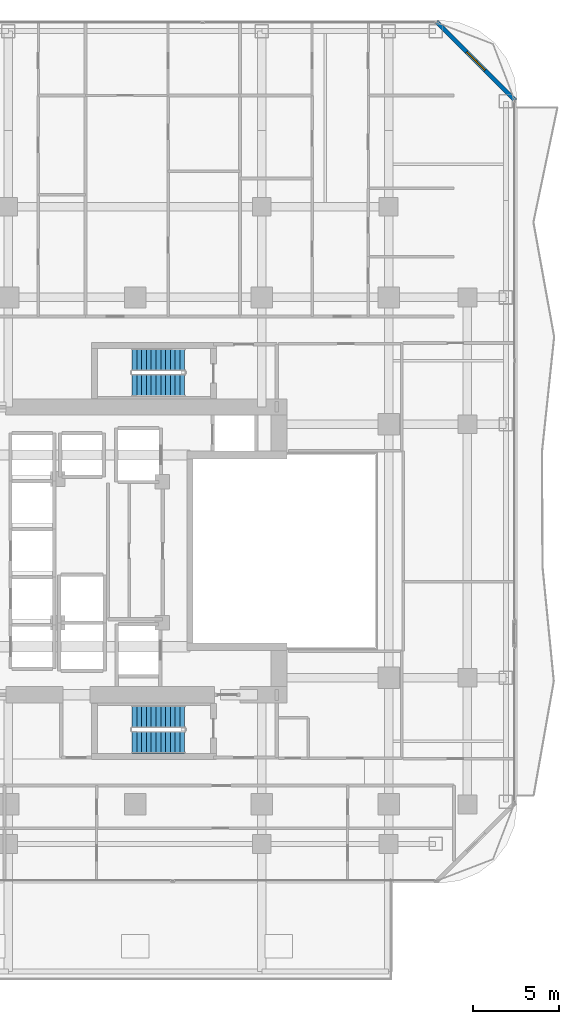
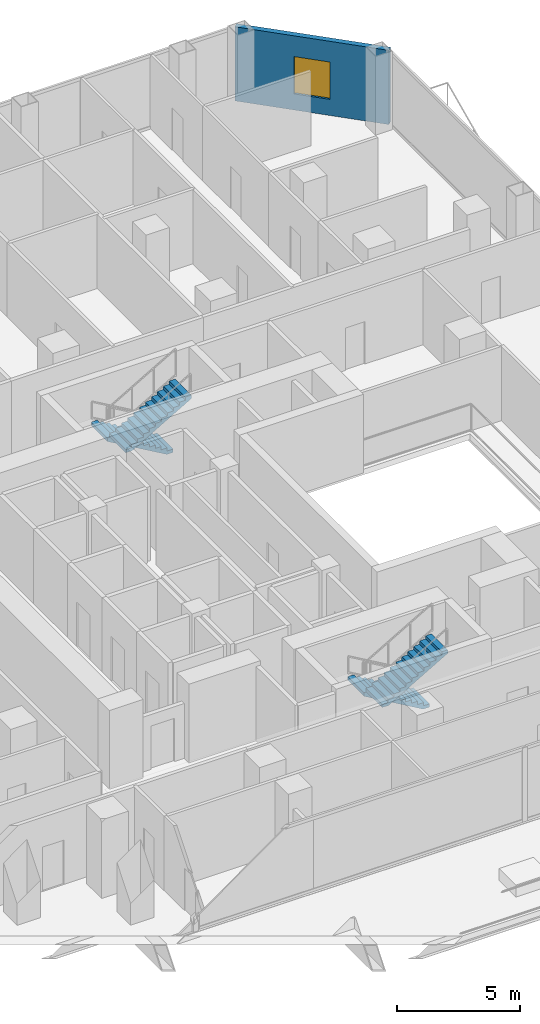
# One storey, part 24 of 29: 4 stair flights, 1 wall, 1 window, 1 opening, 2 elements without a shape of their own.
"""IFC4 building model written with IfcOpenShell, lengths in metres."""

from ifc_helpers import new_model, si_unit, direction, frame, frame_2d, origin, place, context, subcontext, project, spatial, polyline, rectangle, outline, extrude, material, layer, layer_set, type_object, element, fill, aggregate, save


model = new_model("IFC4")

# Units and contexts
model_context = context("Model", 3, precision=1e-05, world=origin(), true_north=direction((0.0, 1.0)))
body_context = subcontext(model_context, "Body", "Model", "MODEL_VIEW")
ifc_project = project(units=[si_unit("LENGTHUNIT", "METRE"), si_unit("AREAUNIT", "SQUARE_METRE"), si_unit("VOLUMEUNIT", "CUBIC_METRE"), si_unit("PLANEANGLEUNIT", "RADIAN"), si_unit("MASSUNIT", "GRAM", prefix="KILO")], contexts=[model_context])

# Site, building, storey
site_placement = place(None, origin())
site = spatial("IfcSite", under=ifc_project, at=site_placement, CompositionType="ELEMENT")
building_placement = place(site_placement, origin())
building = spatial("IfcBuilding", under=site, at=building_placement, Name="Khorvyn Point Tower", CompositionType="ELEMENT")
storey_placement = place(building_placement, frame((0.0, 0.0, 85.199951171875)))
storey = spatial("IfcBuildingStorey", under=building, at=storey_placement, Name="L21", CompositionType="ELEMENT", Elevation=85.199951171875)

# Wall, opening, window
ifc_material_1 = material(Name="Pale anodised aluminium rainscreen on steel stud", Category="steel")
ifc_layer = layer(ifc_material_1, 0.239990234375)
ifc_layer_set = layer_set([ifc_layer], Name="Anodised Aluminium Insulated Corner Spandrel Wall 240")
wall_type = type_object("IfcWallType", Name="Anodised Aluminium Insulated Corner Spandrel Wall 240", PredefinedType="SOLIDWALL", material=ifc_layer_set)
wall_placement = place(storey_placement, frame((17.607666015625, 30.892333984375, 0.0), z_axis=(0.0, 0.0, 1.0), x_axis=(0.707106781187, -0.707106781187, 0.0)))
wall = element("IfcWall", 1, at=wall_placement, inside=storey, type_object=wall_type, Name="L21 Rounded Corner Wall NE", PredefinedType="SOLIDWALL", context=body_context, shape_type="SweptSolid", body=[
    extrude(rectangle(XDim=6.48388671875, YDim=0.239990234375, at=frame_2d((3.241943359375, 0.0))), origin(), (0.0, 0.0, 1.0), 3.679931640625),
])
opening_placement = place(wall_placement, frame((2.491943359375, 0.0, 0.800048828125)))
opening = element("IfcOpeningElement", 2, at=opening_placement, cuts=wall, Name="Opening WN-1518", PredefinedType="OPENING", context=body_context, shape_type="SweptSolid", body=[
    extrude(rectangle(XDim=1.5, YDim=1.85009765625, at=frame_2d((0.75, 0.925048828125))), frame((0.0, 0.1298828125, 0.0), z_axis=(0.0, -1.0, 0.0), x_axis=(1.0, 0.0, 0.0)), (0.0, 0.0, 1.0), 0.260009765625),
])
ifc_material_2 = material(Name="Anodised aluminium 6063-T6 and laminated Low-E glass", Category="aluminium")
window_type = type_object("IfcWindowType", Name="Anodised Aluminium Rounded-Corner Panoramic Window 1500x1850", PartitioningType="SINGLE_PANEL", PredefinedType="WINDOW", material=ifc_material_2)
window_placement = place(opening_placement, origin())
window = element("IfcWindow", 3, at=window_placement, inside=storey, type_object=window_type, Name="L21 Corner Panoramic Window NE", OverallHeight=1.85009765625, OverallWidth=1.5, PartitioningType="SINGLE_PANEL", PredefinedType="WINDOW", context=body_context, shape_type="SweptSolid", body=[
    extrude(rectangle(XDim=1.5, YDim=1.85009765625, at=frame_2d((0.75, 0.925048828125))), frame((0.0, 0.030029296875, 0.0), z_axis=(0.0, -1.0, 0.0), x_axis=(1.0, 0.0, 0.0)), (0.0, 0.0, 1.0), 0.06005859375),
])
fill(opening, window)

# Stair, stair flights
ifc_material_3 = material(Name="Concrete C40/50", Category="concrete")
stair_type = type_object("IfcStairType", Name="Tower Concrete C40/50 Dogleg Exit Stair", PredefinedType="HALF_TURN_STAIR", material=ifc_material_3)
stair_1_placement = place(storey_placement, origin())
stair_1 = element("IfcStair", 4, at=stair_1_placement, inside=storey, type_object=stair_type, Name="L21 Tower Smokeproof Exit Stair South", PredefinedType="HALF_TURN_STAIR")
stair_flight_type = type_object("IfcStairFlightType", Name="Tower Concrete C40/50 Stair Flight", PredefinedType="STRAIGHT", material=ifc_material_3)
stair_flight_1_placement = place(storey_placement, frame((2.89990234375, -9.679931640625, 0.0), z_axis=(0.0, 0.0, 1.0), x_axis=(-1.0, 0.0, 0.0)))
stair_flight_1 = element("IfcStairFlight", 5, at=stair_flight_1_placement, type_object=stair_flight_type, Name="ST-01 flight 1", NumberOfRisers=12, NumberOfTreads=11, PredefinedType="STRAIGHT", RiserHeight=0.1625, TreadLength=0.28, context=body_context, shape_type="SweptSolid", body=[
    extrude(outline(polyline([(0.0, 0.0), (0.0, 0.16259765625), (0.280029296875, 0.16259765625), (0.280029296875, 0.324951171875), (0.56005859375, 0.324951171875), (0.56005859375, 0.487548828125), (0.840087890625, 0.487548828125), (0.840087890625, 0.64990234375), (1.1201171875, 0.64990234375), (1.1201171875, 0.8125), (1.39990234375, 0.8125), (1.39990234375, 0.97509765625), (1.679931640625, 0.97509765625), (1.679931640625, 1.137451171875), (1.9599609375, 1.137451171875), (1.9599609375, 1.300048828125), (2.239990234375, 1.300048828125), (2.239990234375, 1.46240234375), (2.52001953125, 1.46240234375), (2.52001953125, 1.625), (2.800048828125, 1.625), (2.800048828125, 1.78759765625), (3.080078125, 1.78759765625), (3.080078125, 1.949951171875), (3.080078125, 1.6142578125), (0.298583984375, 0.0), (0.0, 0.0)])), frame((0.0, 0.66015625, 0.0), z_axis=(0.0, -1.0, 0.0), x_axis=(1.0, 0.0, 0.0)), (0.0, 0.0, 1.0), 1.320068359375),
])
stair_flight_2_placement = place(storey_placement, frame((-0.179931640625, -11.159912109375, 1.949951171875), z_axis=(0.0, 0.0, 1.0), x_axis=(1.0, 0.0, 0.0)))
stair_flight_2 = element("IfcStairFlight", 6, at=stair_flight_2_placement, type_object=stair_flight_type, Name="ST-01 flight 2", NumberOfRisers=12, NumberOfTreads=11, PredefinedType="STRAIGHT", RiserHeight=0.1625, TreadLength=0.28, context=body_context, shape_type="SweptSolid", body=[
    extrude(outline(polyline([(0.0, 0.0), (0.0, 0.16259765625), (0.280029296875, 0.16259765625), (0.280029296875, 0.324951171875), (0.56005859375, 0.324951171875), (0.56005859375, 0.487548828125), (0.840087890625, 0.487548828125), (0.840087890625, 0.64990234375), (1.1201171875, 0.64990234375), (1.1201171875, 0.8125), (1.39990234375, 0.8125), (1.39990234375, 0.97509765625), (1.679931640625, 0.97509765625), (1.679931640625, 1.137451171875), (1.9599609375, 1.137451171875), (1.9599609375, 1.300048828125), (2.239990234375, 1.300048828125), (2.239990234375, 1.46240234375), (2.52001953125, 1.46240234375), (2.52001953125, 1.625), (2.800048828125, 1.625), (2.800048828125, 1.78759765625), (3.080078125, 1.78759765625), (3.080078125, 1.949951171875), (3.080078125, 1.6142578125), (0.298583984375, 0.0), (0.0, 0.0)])), frame((0.0, 0.66015625, 0.0), z_axis=(0.0, -1.0, 0.0), x_axis=(1.0, 0.0, 0.0)), (0.0, 0.0, 1.0), 1.320068359375),
])
aggregate(stair_1, [stair_flight_1, stair_flight_2])

stair_2_placement = place(storey_placement, origin())
stair_2 = element("IfcStair", 7, at=stair_2_placement, inside=storey, type_object=stair_type, Name="L21 Tower Smokeproof Exit Stair North", PredefinedType="HALF_TURN_STAIR")
stair_flight_3_placement = place(storey_placement, frame((2.89990234375, 11.159912109375, 0.0), z_axis=(0.0, 0.0, 1.0), x_axis=(-1.0, 0.0, 0.0)))
stair_flight_3 = element("IfcStairFlight", 8, at=stair_flight_3_placement, type_object=stair_flight_type, Name="ST-02 flight 1", NumberOfRisers=12, NumberOfTreads=11, PredefinedType="STRAIGHT", RiserHeight=0.1625, TreadLength=0.28, context=body_context, shape_type="SweptSolid", body=[
    extrude(outline(polyline([(0.0, 0.0), (0.0, 0.16259765625), (0.280029296875, 0.16259765625), (0.280029296875, 0.324951171875), (0.56005859375, 0.324951171875), (0.56005859375, 0.487548828125), (0.840087890625, 0.487548828125), (0.840087890625, 0.64990234375), (1.1201171875, 0.64990234375), (1.1201171875, 0.8125), (1.39990234375, 0.8125), (1.39990234375, 0.97509765625), (1.679931640625, 0.97509765625), (1.679931640625, 1.137451171875), (1.9599609375, 1.137451171875), (1.9599609375, 1.300048828125), (2.239990234375, 1.300048828125), (2.239990234375, 1.46240234375), (2.52001953125, 1.46240234375), (2.52001953125, 1.625), (2.800048828125, 1.625), (2.800048828125, 1.78759765625), (3.080078125, 1.78759765625), (3.080078125, 1.949951171875), (3.080078125, 1.6142578125), (0.298583984375, 0.0), (0.0, 0.0)])), frame((0.0, 0.66015625, 0.0), z_axis=(0.0, -1.0, 0.0), x_axis=(1.0, 0.0, 0.0)), (0.0, 0.0, 1.0), 1.320068359375),
])
stair_flight_4_placement = place(storey_placement, frame((-0.179931640625, 9.679931640625, 1.949951171875), z_axis=(0.0, 0.0, 1.0), x_axis=(1.0, 0.0, 0.0)))
stair_flight_4 = element("IfcStairFlight", 9, at=stair_flight_4_placement, type_object=stair_flight_type, Name="ST-02 flight 2", NumberOfRisers=12, NumberOfTreads=11, PredefinedType="STRAIGHT", RiserHeight=0.1625, TreadLength=0.28, context=body_context, shape_type="SweptSolid", body=[
    extrude(outline(polyline([(0.0, 0.0), (0.0, 0.16259765625), (0.280029296875, 0.16259765625), (0.280029296875, 0.324951171875), (0.56005859375, 0.324951171875), (0.56005859375, 0.487548828125), (0.840087890625, 0.487548828125), (0.840087890625, 0.64990234375), (1.1201171875, 0.64990234375), (1.1201171875, 0.8125), (1.39990234375, 0.8125), (1.39990234375, 0.97509765625), (1.679931640625, 0.97509765625), (1.679931640625, 1.137451171875), (1.9599609375, 1.137451171875), (1.9599609375, 1.300048828125), (2.239990234375, 1.300048828125), (2.239990234375, 1.46240234375), (2.52001953125, 1.46240234375), (2.52001953125, 1.625), (2.800048828125, 1.625), (2.800048828125, 1.78759765625), (3.080078125, 1.78759765625), (3.080078125, 1.949951171875), (3.080078125, 1.6142578125), (0.298583984375, 0.0), (0.0, 0.0)])), frame((0.0, 0.66015625, 0.0), z_axis=(0.0, -1.0, 0.0), x_axis=(1.0, 0.0, 0.0)), (0.0, 0.0, 1.0), 1.320068359375),
])
aggregate(stair_2, [stair_flight_3, stair_flight_4])

save(model, "model.ifc")
